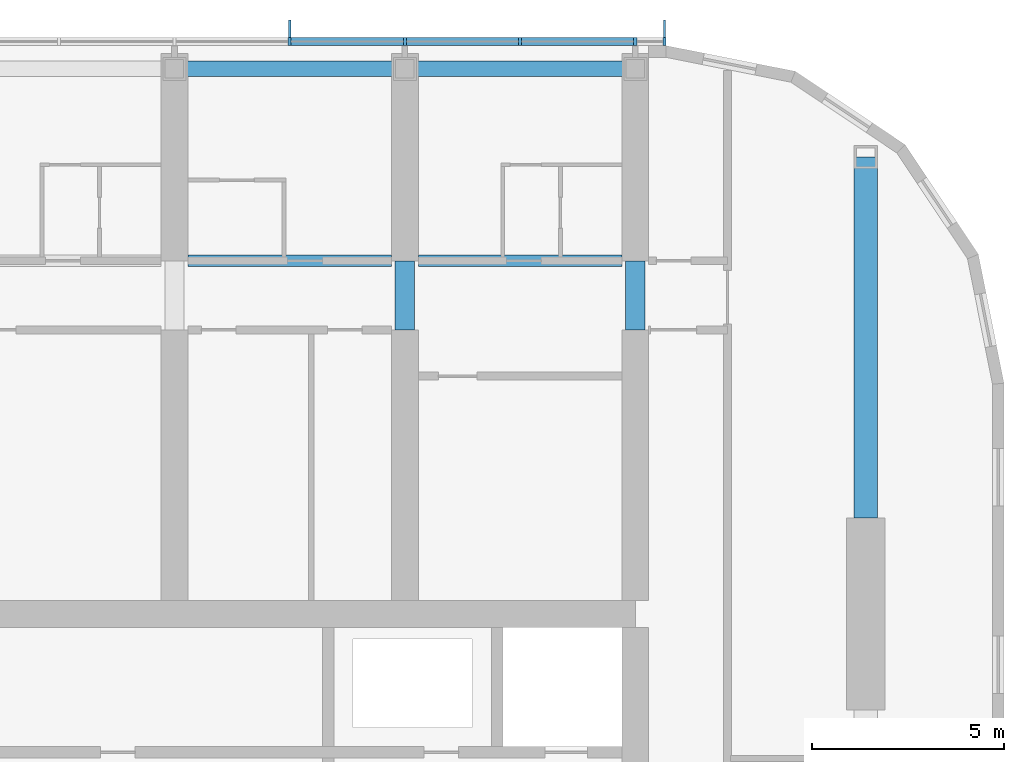
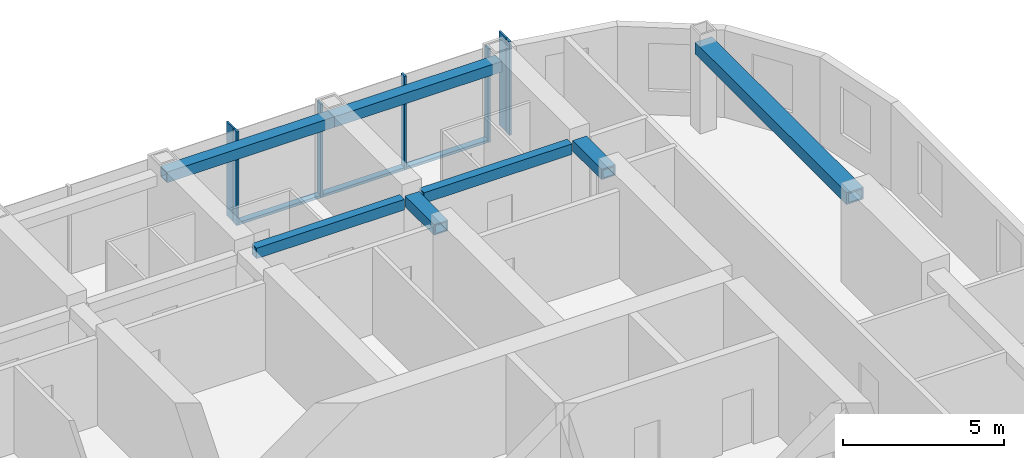
# One storey, part 5 of 23: 10 members, 7 beams, 1 element without a shape of its own.
"""IFC4 building model written with IfcOpenShell, lengths in metres."""

from ifc_helpers import new_model, si_unit, direction, frame, origin, origin_2d, place, context, subcontext, project, spatial, rectangle, hollow_rectangle, extrude, material, material_profile, profile_set, type_object, element, aggregate, save


model = new_model("IFC4")

# Units and contexts
model_context = context("Model", 3, precision=1e-05, world=origin(), true_north=direction((0.0, 1.0)))
body_context = subcontext(model_context, "Body", "Model", "MODEL_VIEW")
ifc_project = project(units=[si_unit("LENGTHUNIT", "METRE"), si_unit("AREAUNIT", "SQUARE_METRE"), si_unit("VOLUMEUNIT", "CUBIC_METRE"), si_unit("PLANEANGLEUNIT", "RADIAN"), si_unit("MASSUNIT", "GRAM", prefix="KILO")], contexts=[model_context])

# Site, building, storey
site_placement = place(None, origin())
site = spatial("IfcSite", under=ifc_project, at=site_placement, CompositionType="ELEMENT")
building_placement = place(site_placement, origin())
building = spatial("IfcBuilding", under=site, at=building_placement, Name="Orbita Commons", CompositionType="ELEMENT")
storey_placement = place(building_placement, frame((0.0, 0.0, 227.800048828125)))
storey = spatial("IfcBuildingStorey", under=building, at=storey_placement, Name="L56", CompositionType="ELEMENT", Elevation=227.800048828125)

# Curtain wall, members
ifc_material_1 = material(Name="Anodised aluminium frame, pale silver", Category="aluminium")
curtain_wall_type = type_object("IfcCurtainWallType", Name="Unitised curtain wall CW-U, full-height vision", PredefinedType="NOTDEFINED", material=ifc_material_1)
curtain_wall_placement = place(storey_placement, origin())
curtain_wall = element("IfcCurtainWall", 1, at=curtain_wall_placement, inside=storey, type_object=curtain_wall_type, Name="Curtain wall north L56", PredefinedType="NOTDEFINED")
ifc_material_2 = material(Name="Anodised aluminium, pale silver", Category="aluminium")
ifc_material_profile_1 = material_profile(ifc_material_2, rectangle(XDim=0.080078125, YDim=0.219970703125, at=origin_2d()), Name="AL 80x220")
ifc_profile_set_1 = profile_set([ifc_material_profile_1], Name="Anodised aluminium, pale silver")
member_type_1 = type_object("IfcMemberType", Name="Curtain wall mullion 80x220", PredefinedType="MULLION", material=ifc_profile_set_1)
member_1_placement = place(storey_placement, frame((66.760009765625, 53.110107421875, -0.25), z_axis=(0.0, 0.0, 1.0), x_axis=(-1.0, 0.0, 0.0)))
member_1 = element("IfcMember", 2, at=member_1_placement, type_object=member_type_1, Name="Mullion 1 CW-L56-N", PredefinedType="MULLION", context=body_context, shape_type="SweptSolid", body=[
    extrude(rectangle(XDim=0.080078125, YDim=0.219970703125, at=origin_2d()), origin(), (0.0, 0.0, 1.0), 3.550048828125),
])
member_2_placement = place(storey_placement, frame((66.0, 53.110107421875, -0.25), z_axis=(0.0, 0.0, 1.0), x_axis=(-1.0, 0.0, 0.0)))
member_2 = element("IfcMember", 3, at=member_2_placement, type_object=member_type_1, Name="Mullion 2 CW-L56-N", PredefinedType="MULLION", context=body_context, shape_type="SweptSolid", body=[
    extrude(rectangle(XDim=0.080078125, YDim=0.219970703125, at=origin_2d()), origin(), (0.0, 0.0, 1.0), 3.550048828125),
])
member_3_placement = place(storey_placement, frame((63.0, 53.110107421875, -0.25), z_axis=(0.0, 0.0, 1.0), x_axis=(-1.0, 0.0, 0.0)))
member_3 = element("IfcMember", 4, at=member_3_placement, type_object=member_type_1, Name="Mullion 3 CW-L56-N", PredefinedType="MULLION", context=body_context, shape_type="SweptSolid", body=[
    extrude(rectangle(XDim=0.080078125, YDim=0.219970703125, at=origin_2d()), origin(), (0.0, 0.0, 1.0), 3.550048828125),
])
member_4_placement = place(storey_placement, frame((60.0, 53.110107421875, -0.25), z_axis=(0.0, 0.0, 1.0), x_axis=(-1.0, 0.0, 0.0)))
member_4 = element("IfcMember", 5, at=member_4_placement, type_object=member_type_1, Name="Mullion 4 CW-L56-N", PredefinedType="MULLION", context=body_context, shape_type="SweptSolid", body=[
    extrude(rectangle(XDim=0.080078125, YDim=0.219970703125, at=origin_2d()), origin(), (0.0, 0.0, 1.0), 3.550048828125),
])
member_5_placement = place(storey_placement, frame((57.0, 53.110107421875, -0.25), z_axis=(0.0, 0.0, 1.0), x_axis=(-1.0, 0.0, 0.0)))
member_5 = element("IfcMember", 6, at=member_5_placement, type_object=member_type_1, Name="Mullion 5 CW-L56-N", PredefinedType="MULLION", context=body_context, shape_type="SweptSolid", body=[
    extrude(rectangle(XDim=0.080078125, YDim=0.219970703125, at=origin_2d()), origin(), (0.0, 0.0, 1.0), 3.550048828125),
])
ifc_material_3 = material(Name="Anodised aluminium, pale silver", Category="aluminium")
ifc_material_profile_2 = material_profile(ifc_material_3, rectangle(XDim=0.219970703125, YDim=0.10009765625, at=origin_2d()), Name="AL 220x100")
ifc_profile_set_2 = profile_set([ifc_material_profile_2], Name="Anodised aluminium, pale silver")
member_type_2 = type_object("IfcMemberType", Name="Curtain wall stack transom 220x100", PredefinedType="USERDEFINED", material=ifc_profile_set_2)
member_6_placement = place(storey_placement, frame((65.9599609375, 53.110107421875, -0.199951171875), z_axis=(-1.0, 0.0, 0.0), x_axis=(0.0, -1.0, 0.0)))
member_6 = element("IfcMember", 7, at=member_6_placement, type_object=member_type_2, Name="Transom 2.1 CW-L56-N", ObjectType="TRANSOM", PredefinedType="USERDEFINED", context=body_context, shape_type="SweptSolid", body=[
    extrude(rectangle(XDim=0.219970703125, YDim=0.10009765625, at=origin_2d()), origin(), (0.0, 0.0, 1.0), 2.919921875),
])
member_7_placement = place(storey_placement, frame((62.9599609375, 53.110107421875, -0.199951171875), z_axis=(-1.0, 0.0, 0.0), x_axis=(0.0, -1.0, 0.0)))
member_7 = element("IfcMember", 8, at=member_7_placement, type_object=member_type_2, Name="Transom 3.1 CW-L56-N", ObjectType="TRANSOM", PredefinedType="USERDEFINED", context=body_context, shape_type="SweptSolid", body=[
    extrude(rectangle(XDim=0.219970703125, YDim=0.10009765625, at=origin_2d()), origin(), (0.0, 0.0, 1.0), 2.919921875),
])
member_8_placement = place(storey_placement, frame((59.9599609375, 53.110107421875, -0.199951171875), z_axis=(-1.0, 0.0, 0.0), x_axis=(0.0, -1.0, 0.0)))
member_8 = element("IfcMember", 9, at=member_8_placement, type_object=member_type_2, Name="Transom 4.1 CW-L56-N", ObjectType="TRANSOM", PredefinedType="USERDEFINED", context=body_context, shape_type="SweptSolid", body=[
    extrude(rectangle(XDim=0.219970703125, YDim=0.10009765625, at=origin_2d()), origin(), (0.0, 0.0, 1.0), 2.919921875),
])

# Beams
ifc_material_4 = material(Name="Steel ASTM A572 Gr 50 welded plate", Category="steel")
ifc_material_profile_3 = material_profile(ifc_material_4, hollow_rectangle(XDim=0.300048828125, YDim=0.39990234375, WallThickness=0.0400390625, at=origin_2d()), Name="BOX 400x300x40")
ifc_profile_set_3 = profile_set([ifc_material_profile_3], Name="Steel ASTM A572 Gr 50 welded plate")
beam_type_1 = type_object("IfcBeamType", Name="Steel corridor link BOX 400x300x40", PredefinedType="BEAM", material=ifc_profile_set_3)
for number, where, z_axis, x_axis, name in (
    (10, (54.35009765625, 47.39990234375, 3.099853515625), (1.0, 0.0, 0.0), (0.0, 1.0, 0.0), "Corridor beam NB 10-11 L56"),
    (11, (60.35009765625, 47.39990234375, 3.099853515625), (1.0, 0.0, 0.0), (0.0, 1.0, 0.0), "Corridor beam NB 11-12 L56"),
):
    element("IfcBeam", number, at=place(storey_placement, frame(where, z_axis=z_axis, x_axis=x_axis)), inside=storey, type_object=beam_type_1, Name=name, PredefinedType="BEAM", context=body_context, shape_type="SweptSolid", body=[
        extrude(hollow_rectangle(XDim=0.300048828125, YDim=0.39990234375, WallThickness=0.0400390625, at=origin_2d()), origin(), (0.0, 0.0, 1.0), 5.2998046875),
    ])
ifc_material_5 = material(Name="Steel ASTM A572 Gr 50 welded plate", Category="steel")
ifc_material_profile_4 = material_profile(ifc_material_5, hollow_rectangle(XDim=0.5, YDim=0.39990234375, WallThickness=0.050048828125, at=origin_2d()), Name="BOX 400x500x50")
ifc_profile_set_4 = profile_set([ifc_material_profile_4], Name="Steel ASTM A572 Gr 50 welded plate")
beam_type_2 = type_object("IfcBeamType", Name="Steel coupling link BOX 400x500x50", PredefinedType="LINTEL", material=ifc_profile_set_4)
for number, where, z_axis, x_axis, name in (
    (12, (60.0, 45.60009765625, 3.099853515625), (0.0, 1.0, 0.0), (-1.0, 0.0, 0.0), "Coupling beam 11 north L56"),
    (13, (66.0, 45.60009765625, 3.099853515625), (0.0, 1.0, 0.0), (-1.0, 0.0, 0.0), "Coupling beam 12 north L56"),
):
    element("IfcBeam", number, at=place(storey_placement, frame(where, z_axis=z_axis, x_axis=x_axis)), inside=storey, type_object=beam_type_2, Name=name, PredefinedType="LINTEL", context=body_context, shape_type="SweptSolid", body=[
        extrude(hollow_rectangle(XDim=0.5, YDim=0.39990234375, WallThickness=0.050048828125, at=origin_2d()), origin(), (0.0, 0.0, 1.0), 1.7998046875),
    ])
ifc_material_6 = material(Name="Steel ASTM A572 Gr 50 welded plate", Category="steel")
ifc_material_profile_5 = material_profile(ifc_material_6, hollow_rectangle(XDim=0.60009765625, YDim=0.449951171875, WallThickness=0.06005859375, at=origin_2d()), Name="BOX 450x600x60")
ifc_profile_set_5 = profile_set([ifc_material_profile_5], Name="Steel ASTM A572 Gr 50 welded plate")
beam_type_3 = type_object("IfcBeamType", Name="Steel end frame link BOX 450x600x60", PredefinedType="BEAM", material=ifc_profile_set_5)
beam_placement = place(storey_placement, frame((72.0, 40.699951171875, 3.074951171875), z_axis=(0.0, 1.0, 0.0), x_axis=(-1.0, 0.0, 0.0)))
element("IfcBeam", 14, at=beam_placement, inside=storey, type_object=beam_type_3, Name="End frame beam 13 D-E L56", PredefinedType="BEAM", context=body_context, shape_type="SweptSolid", body=[
    extrude(hollow_rectangle(XDim=0.60009765625, YDim=0.449951171875, WallThickness=0.06005859375, at=origin_2d()), origin(), (0.0, 0.0, 1.0), 9.400146484375),
])
ifc_material_7 = material(Name="Steel ASTM A572 Gr 50 welded plate", Category="steel")
ifc_material_profile_6 = material_profile(ifc_material_7, hollow_rectangle(XDim=0.39990234375, YDim=0.39990234375, WallThickness=0.0400390625, at=origin_2d()), Name="BOX 400x400x40")
ifc_profile_set_6 = profile_set([ifc_material_profile_6], Name="Steel ASTM A572 Gr 50 welded plate")
beam_type_4 = type_object("IfcBeamType", Name="Steel spandrel BOX 400x400x40", PredefinedType="SPANDREL", material=ifc_profile_set_6)
for number, where, z_axis, x_axis, name in (
    (15, (54.0, 52.39990234375, 3.099853515625), (1.0, 0.0, 0.0), (0.0, 1.0, 0.0), "Spandrel beam E 10-11 L56"),
    (16, (60.0, 52.39990234375, 3.099853515625), (1.0, 0.0, 0.0), (0.0, 1.0, 0.0), "Spandrel beam E 11-12 L56"),
):
    element("IfcBeam", number, at=place(storey_placement, frame(where, z_axis=z_axis, x_axis=x_axis)), inside=storey, type_object=beam_type_4, Name=name, PredefinedType="SPANDREL", context=body_context, shape_type="SweptSolid", body=[
        extrude(hollow_rectangle(XDim=0.39990234375, YDim=0.39990234375, WallThickness=0.0400390625, at=origin_2d()), origin(), (0.0, 0.0, 1.0), 6.0),
    ])

# Member
ifc_material_8 = material(Name="Anodised aluminium, pale silver", Category="aluminium")
ifc_material_profile_7 = material_profile(ifc_material_8, rectangle(XDim=0.06005859375, YDim=0.449951171875, at=origin_2d()), Name="FIN 60x450")
ifc_profile_set_7 = profile_set([ifc_material_profile_7], Name="Anodised aluminium, pale silver")
member_type_3 = type_object("IfcMemberType", Name="Vertical fin 60x450 pale aluminium", PredefinedType="USERDEFINED", material=ifc_profile_set_7)
member_9_placement = place(storey_placement, frame((66.760009765625, 53.445068359375, -0.25), z_axis=(0.0, 0.0, 1.0), x_axis=(-1.0, 0.0, 0.0)))
member_9 = element("IfcMember", 17, at=member_9_placement, type_object=member_type_3, Name="Fin 1 CW-L56-N", ObjectType="FIN", PredefinedType="USERDEFINED", context=body_context, shape_type="SweptSolid", body=[
    extrude(rectangle(XDim=0.06005859375, YDim=0.449951171875, at=origin_2d()), origin(), (0.0, 0.0, 1.0), 3.550048828125),
])

member_10_placement = place(storey_placement, frame((57.0, 53.445068359375, -0.25), z_axis=(0.0, 0.0, 1.0), x_axis=(-1.0, 0.0, 0.0)))
member_10 = element("IfcMember", 18, at=member_10_placement, type_object=member_type_3, Name="Fin 5 CW-L56-N", ObjectType="FIN", PredefinedType="USERDEFINED", context=body_context, shape_type="SweptSolid", body=[
    extrude(rectangle(XDim=0.06005859375, YDim=0.449951171875, at=origin_2d()), origin(), (0.0, 0.0, 1.0), 3.550048828125),
])

aggregate(curtain_wall, [member_1, member_9, member_2, member_3, member_4, member_5, member_10, member_6, member_7, member_8])

save(model, "model.ifc")
